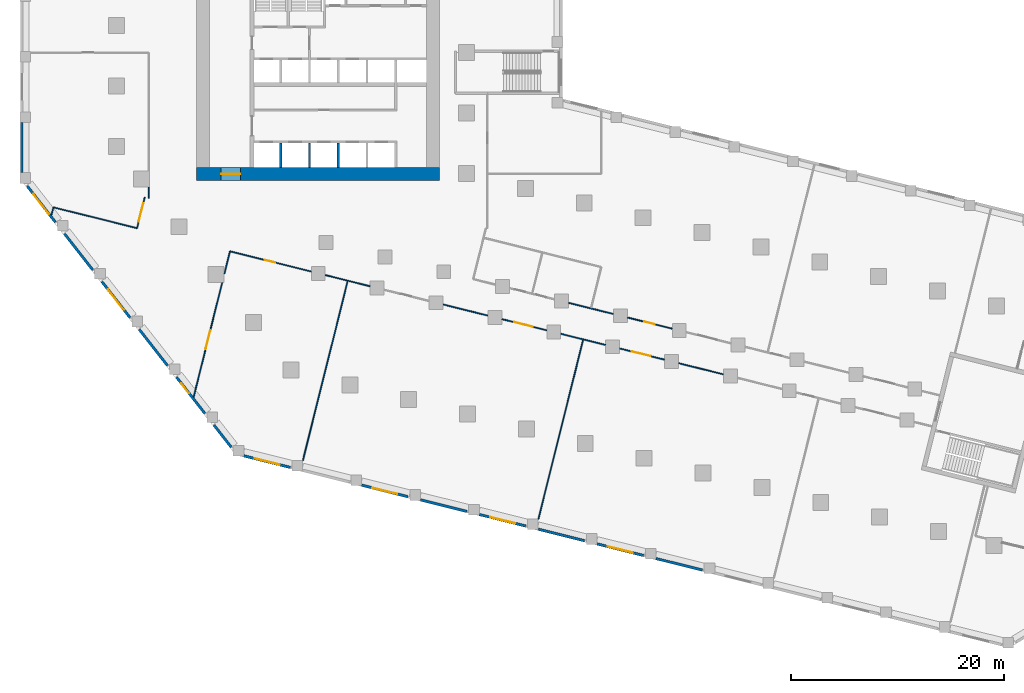
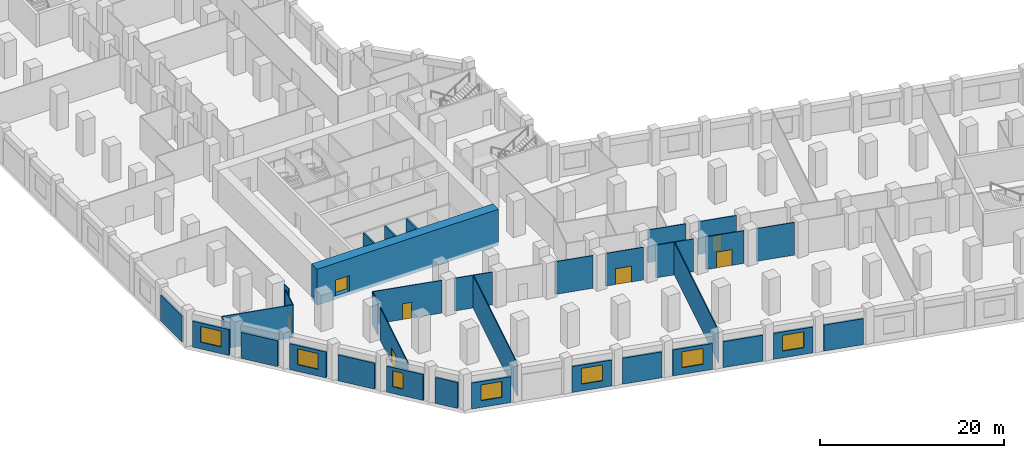
# One storey, part 3 of 15: 35 walls, 7 doors, 7 windows, 14 openings.
"""IFC4 building model written with IfcOpenShell, lengths in metres."""

from ifc_helpers import new_model, si_unit, direction, frame, frame_2d, origin, place, context, subcontext, project, spatial, rectangle, extrude, material, layer, layer_set, type_object, element, fill, save


model = new_model("IFC4")

# Units and contexts
model_context = context("Model", 3, precision=1e-05, world=origin(), true_north=direction((0.0, 1.0)))
body_context = subcontext(model_context, "Body", "Model", "MODEL_VIEW")
ifc_project = project(units=[si_unit("LENGTHUNIT", "METRE"), si_unit("AREAUNIT", "SQUARE_METRE"), si_unit("VOLUMEUNIT", "CUBIC_METRE"), si_unit("PLANEANGLEUNIT", "RADIAN"), si_unit("MASSUNIT", "GRAM", prefix="KILO")], contexts=[model_context])

# Site, building, storey
site_placement = place(None, origin())
site = spatial("IfcSite", under=ifc_project, at=site_placement, CompositionType="ELEMENT")
building_placement = place(site_placement, origin())
building = spatial("IfcBuilding", under=site, at=building_placement, Name="Meshkara Civic Tower", CompositionType="ELEMENT")
storey_placement = place(building_placement, frame((0.0, 0.0, 23.39990234375)))
storey = spatial("IfcBuildingStorey", under=building, at=storey_placement, Name="L04", CompositionType="ELEMENT", Elevation=23.39990234375)

# Wall, opening, door
ifc_material_1 = material(Name="Concrete C80", Category="concrete")
ifc_layer_1 = layer(ifc_material_1, 1.199951171875)
ifc_layer_set_1 = layer_set([ifc_layer_1], Name="Core ring wall 1200 C80")
wall_type_1 = type_object("IfcWallType", Name="Core ring wall 1200 C80", PredefinedType="SHEAR", material=ifc_layer_set_1)
wall_1_placement = place(storey_placement, frame((8.0, 14.699951171875, -0.449951171875), z_axis=(0.0, 0.0, 1.0), x_axis=(1.0, 0.0, 0.0)))
wall_1 = element("IfcWall", 1, at=wall_1_placement, inside=storey, type_object=wall_type_1, Name="L04-C001", PredefinedType="SHEAR", context=body_context, shape_type="SweptSolid", body=[
    extrude(rectangle(XDim=22.800048828125, YDim=1.199951171875, at=frame_2d((11.39990234375, 0.0))), origin(), (0.0, 0.0, 1.0), 4.800048828125),
])
opening_1_placement = place(wall_1_placement, frame((2.300048828125, 0.0, 0.449951171875)))
opening_1 = element("IfcOpeningElement", 2, at=opening_1_placement, cuts=wall_1, Name="Opening L04-K020", PredefinedType="OPENING", context=body_context, shape_type="SweptSolid", body=[
    extrude(rectangle(XDim=1.800048828125, YDim=2.10009765625, at=frame_2d((0.89990234375, 1.050048828125))), frame((0.0, 0.60986328125, 0.0), z_axis=(0.0, -1.0, 0.0), x_axis=(1.0, 0.0, 0.0)), (0.0, 0.0, 1.0), 1.219970703125),
])
ifc_material_2 = material(Name="Fire-rated door leaf in steel frame", Category="steel")
door_type_1 = type_object("IfcDoorType", Name="Core double door 1800 EI 60", OperationType="DOUBLE_DOOR_SINGLE_SWING", PredefinedType="DOOR", material=ifc_material_2)
door_1_placement = place(opening_1_placement, origin())
door_1 = element("IfcDoor", 3, at=door_1_placement, inside=storey, type_object=door_type_1, Name="L04-K020", OperationType="DOUBLE_DOOR_SINGLE_SWING", OverallHeight=2.10009765625, OverallWidth=1.800048828125, PredefinedType="DOOR", context=body_context, shape_type="SweptSolid", body=[
    extrude(rectangle(XDim=1.800048828125, YDim=2.10009765625, at=frame_2d((0.89990234375, 1.050048828125))), frame((0.0, 0.02490234375, 0.0), z_axis=(0.0, -1.0, 0.0), x_axis=(1.0, 0.0, 0.0)), (0.0, 0.0, 1.0), 0.050048828125),
])
fill(opening_1, door_1)

# Walls
ifc_material_3 = material(Name="Corridor wall 100")
ifc_layer_2 = layer(ifc_material_3, 0.10009765625)
ifc_layer_set_2 = layer_set([ifc_layer_2], Name="Corridor wall 100")
wall_type_2 = type_object("IfcWallType", Name="Corridor wall 100", PredefinedType="PARTITIONING", material=ifc_layer_set_2)
wall_2_placement = place(storey_placement, frame((-5.464111328125, 11.56494140625, 0.0), z_axis=(0.0, 0.0, 1.0), x_axis=(-0.24207252228, -0.970258158408, 0.0)))
element("IfcWall", 4, at=wall_2_placement, inside=storey, type_object=wall_type_2, Name="L04-R002", PredefinedType="PARTITIONING", context=body_context, shape_type="SweptSolid", body=[
    extrude(rectangle(XDim=0.744384765625, YDim=0.10009765625, at=frame_2d((0.3720703125, 0.0))), origin(), (0.0, 0.0, 1.0), 4.35009765625),
])
wall_3_placement = place(storey_placement, frame((2.39501953125, 9.60595703125, 0.0), z_axis=(0.0, 0.0, 1.0), x_axis=(-0.97031070843, 0.241861797535, 0.0)))
element("IfcWall", 5, at=wall_3_placement, inside=storey, type_object=wall_type_2, Name="L04-R006", PredefinedType="PARTITIONING", context=body_context, shape_type="SweptSolid", body=[
    extrude(rectangle(XDim=8.099609375, YDim=0.10009765625, at=frame_2d((4.0498046875, 0.0))), origin(), (0.0, 0.0, 1.0), 4.35009765625),
])

# Wall, opening, door
wall_4_placement = place(storey_placement, frame((3.12109375, 12.51708984375, 0.0), z_axis=(0.0, 0.0, 1.0), x_axis=(-0.241999491975, -0.970276376031, 0.0)))
wall_4 = element("IfcWall", 6, at=wall_4_placement, inside=storey, type_object=wall_type_2, Name="L04-R007", PredefinedType="PARTITIONING", context=body_context, shape_type="SweptSolid", body=[
    extrude(rectangle(XDim=3.000244140625, YDim=0.10009765625, at=frame_2d((1.5, 0.0))), origin(), (0.0, 0.0, 1.0), 4.35009765625),
])
opening_2_placement = place(wall_4_placement, frame((0.580078125, 0.0, 0.0)))
opening_2 = element("IfcOpeningElement", 7, at=opening_2_placement, cuts=wall_4, Name="Opening L04-P018", PredefinedType="OPENING", context=body_context, shape_type="SweptSolid", body=[
    extrude(rectangle(XDim=1.800048828125, YDim=2.10009765625, at=frame_2d((0.89990234375, 1.050048828125))), frame((0.0, 0.06005859375, 0.0), z_axis=(0.0, -1.0, 0.0), x_axis=(1.0, 0.0, 0.0)), (0.0, 0.0, 1.0), 0.1201171875),
])
ifc_material_4 = material(Name="Door pair 1800 x 2100")
door_type_2 = type_object("IfcDoorType", Name="Door pair 1800 x 2100", OperationType="SINGLE_SWING_LEFT", PredefinedType="DOOR", material=ifc_material_4)
door_2_placement = place(opening_2_placement, origin())
door_2 = element("IfcDoor", 8, at=door_2_placement, inside=storey, type_object=door_type_2, Name="L04-P018", OperationType="DOUBLE_DOOR_SINGLE_SWING", OverallHeight=2.10009765625, OverallWidth=1.800048828125, PredefinedType="DOOR", context=body_context, shape_type="SweptSolid", body=[
    extrude(rectangle(XDim=1.800048828125, YDim=2.10009765625, at=frame_2d((0.89990234375, 1.050048828125))), frame((0.0, 0.02490234375, 0.0), z_axis=(0.0, -1.0, 0.0), x_axis=(1.0, 0.0, 0.0)), (0.0, 0.0, 1.0), 0.050048828125),
])
fill(opening_2, door_2)

# Wall
wall_5_placement = place(storey_placement, frame((3.5, 13.458984375, 0.0), z_axis=(0.0, 0.0, 1.0), x_axis=(0.0, -1.0, 0.0)))
element("IfcWall", 9, at=wall_5_placement, inside=storey, type_object=wall_type_2, Name="L04-R008", PredefinedType="PARTITIONING", context=body_context, shape_type="SweptSolid", body=[
    extrude(rectangle(XDim=1.035888671875, YDim=0.10009765625, at=frame_2d((0.51806640625, 0.0))), origin(), (0.0, 0.0, 1.0), 4.35009765625),
])

# Wall, opening, door
wall_6_placement = place(storey_placement, frame((7.715576171875, -6.25732421875, 0.0), z_axis=(0.0, 0.0, 1.0), x_axis=(0.241891576484, 0.970303285177, 0.0)))
wall_6 = element("IfcWall", 10, at=wall_6_placement, inside=storey, type_object=wall_type_2, Name="L04-R014", PredefinedType="PARTITIONING", context=body_context, shape_type="SweptSolid", body=[
    extrude(rectangle(XDim=11.060791015625, YDim=0.10009765625, at=frame_2d((5.5302734375, 0.0))), origin(), (0.0, 0.0, 1.0), 4.35009765625),
])
opening_3_placement = place(wall_6_placement, frame((4.644287109375, 0.0, 0.0)))
opening_3 = element("IfcOpeningElement", 11, at=opening_3_placement, cuts=wall_6, Name="Opening L04-P006", PredefinedType="OPENING", context=body_context, shape_type="SweptSolid", body=[
    extrude(rectangle(XDim=1.800048828125, YDim=2.10009765625, at=frame_2d((0.89990234375, 1.050048828125))), frame((0.0, 0.06005859375, 0.0), z_axis=(0.0, -1.0, 0.0), x_axis=(1.0, 0.0, 0.0)), (0.0, 0.0, 1.0), 0.1201171875),
])
door_3_placement = place(opening_3_placement, origin())
door_3 = element("IfcDoor", 12, at=door_3_placement, inside=storey, type_object=door_type_2, Name="L04-P006", OperationType="DOUBLE_DOOR_SINGLE_SWING", OverallHeight=2.10009765625, OverallWidth=1.800048828125, PredefinedType="DOOR", context=body_context, shape_type="SweptSolid", body=[
    extrude(rectangle(XDim=1.800048828125, YDim=2.10009765625, at=frame_2d((0.89990234375, 1.050048828125))), frame((0.0, 0.02490234375, 0.0), z_axis=(0.0, -1.0, 0.0), x_axis=(1.0, 0.0, 0.0)), (0.0, 0.0, 1.0), 0.050048828125),
])
fill(opening_3, door_3)

# Wall
wall_7_placement = place(storey_placement, frame((10.60302734375, 5.322998046875, 0.0), z_axis=(0.0, 0.0, 1.0), x_axis=(0.241847407238, 0.970314295273, 0.0)))
element("IfcWall", 13, at=wall_7_placement, inside=storey, type_object=wall_type_2, Name="L04-R021", PredefinedType="PARTITIONING", context=body_context, shape_type="SweptSolid", body=[
    extrude(rectangle(XDim=2.17041015625, YDim=0.10009765625, at=frame_2d((1.085205078125, 0.0))), origin(), (0.0, 0.0, 1.0), 4.35009765625),
])

# Wall, opening, door
wall_8_placement = place(storey_placement, frame((11.1279296875, 7.428955078125, 0.0), z_axis=(0.0, 0.0, 1.0), x_axis=(0.970281210621, -0.241980107272, 0.0)))
wall_8 = element("IfcWall", 14, at=wall_8_placement, inside=storey, type_object=wall_type_2, Name="L04-R024", PredefinedType="PARTITIONING", context=body_context, shape_type="SweptSolid", body=[
    extrude(rectangle(XDim=7.859619140625, YDim=0.10009765625, at=frame_2d((3.9296875, 0.0))), origin(), (0.0, 0.0, 1.0), 4.35009765625),
])
opening_4_placement = place(wall_8_placement, frame((3.3798828125, 0.0, 0.0)))
opening_4 = element("IfcOpeningElement", 15, at=opening_4_placement, cuts=wall_8, Name="Opening L04-P019", PredefinedType="OPENING", context=body_context, shape_type="SweptSolid", body=[
    extrude(rectangle(XDim=1.0, YDim=2.10009765625, at=frame_2d((0.5, 1.050048828125))), frame((0.0, 0.06005859375, 0.0), z_axis=(0.0, -1.0, 0.0), x_axis=(1.0, 0.0, 0.0)), (0.0, 0.0, 1.0), 0.1201171875),
])
ifc_material_5 = material(Name="Door 1000 x 2100")
door_type_3 = type_object("IfcDoorType", Name="Door 1000 x 2100", OperationType="SINGLE_SWING_LEFT", PredefinedType="DOOR", material=ifc_material_5)
door_4_placement = place(opening_4_placement, origin())
door_4 = element("IfcDoor", 16, at=door_4_placement, inside=storey, type_object=door_type_3, Name="L04-P019", OperationType="SINGLE_SWING_LEFT", OverallHeight=2.10009765625, OverallWidth=1.0, PredefinedType="DOOR", context=body_context, shape_type="SweptSolid", body=[
    extrude(rectangle(XDim=1.0, YDim=2.10009765625, at=frame_2d((0.5, 1.050048828125))), frame((0.0, 0.02490234375, 0.0), z_axis=(0.0, -1.0, 0.0), x_axis=(1.0, 0.0, 0.0)), (0.0, 0.0, 1.0), 0.050048828125),
])
fill(opening_4, door_4)

# Walls
wall_9_placement = place(storey_placement, frame((20.093994140625, 5.193115234375, 0.0), z_axis=(0.0, 0.0, 1.0), x_axis=(0.970321828551, -0.241817181023, 0.0)))
element("IfcWall", 17, at=wall_9_placement, inside=storey, type_object=wall_type_2, Name="L04-R035", PredefinedType="PARTITIONING", context=body_context, shape_type="SweptSolid", body=[
    extrude(rectangle(XDim=4.318115234375, YDim=0.10009765625, at=frame_2d((2.1591796875, 0.0))), origin(), (0.0, 0.0, 1.0), 4.35009765625),
])
wall_10_placement = place(storey_placement, frame((31.155029296875, 2.43505859375, 0.0), z_axis=(0.0, 0.0, 1.0), x_axis=(0.970348308202, -0.24171090329, 0.0)))
element("IfcWall", 18, at=wall_10_placement, inside=storey, type_object=wall_type_2, Name="L04-R045", PredefinedType="PARTITIONING", context=body_context, shape_type="SweptSolid", body=[
    extrude(rectangle(XDim=4.319091796875, YDim=0.10009765625, at=frame_2d((2.15966796875, 0.0))), origin(), (0.0, 0.0, 1.0), 4.35009765625),
])

# Wall, opening, door
wall_11_placement = place(storey_placement, frame((36.68603515625, 1.055908203125, 0.0), z_axis=(0.0, 0.0, 1.0), x_axis=(0.970335093604, -0.241763947107, 0.0)))
wall_11 = element("IfcWall", 19, at=wall_11_placement, inside=storey, type_object=wall_type_2, Name="L04-R055", PredefinedType="PARTITIONING", context=body_context, shape_type="SweptSolid", body=[
    extrude(rectangle(XDim=4.318115234375, YDim=0.10009765625, at=frame_2d((2.1591796875, 0.0))), origin(), (0.0, 0.0, 1.0), 4.35009765625),
])
opening_5_placement = place(wall_11_placement, frame((1.179931640625, 0.0, 0.0)))
opening_5 = element("IfcOpeningElement", 20, at=opening_5_placement, cuts=wall_11, Name="Opening L04-P015", PredefinedType="OPENING", context=body_context, shape_type="SweptSolid", body=[
    extrude(rectangle(XDim=1.800048828125, YDim=2.10009765625, at=frame_2d((0.89990234375, 1.050048828125))), frame((0.0, 0.06005859375, 0.0), z_axis=(0.0, -1.0, 0.0), x_axis=(1.0, 0.0, 0.0)), (0.0, 0.0, 1.0), 0.1201171875),
])
door_5_placement = place(opening_5_placement, origin())
door_5 = element("IfcDoor", 21, at=door_5_placement, inside=storey, type_object=door_type_2, Name="L04-P015", OperationType="DOUBLE_DOOR_SINGLE_SWING", OverallHeight=2.10009765625, OverallWidth=1.800048828125, PredefinedType="DOOR", context=body_context, shape_type="SweptSolid", body=[
    extrude(rectangle(XDim=1.800048828125, YDim=2.10009765625, at=frame_2d((0.89990234375, 1.050048828125))), frame((0.0, 0.02490234375, 0.0), z_axis=(0.0, -1.0, 0.0), x_axis=(1.0, 0.0, 0.0)), (0.0, 0.0, 1.0), 0.050048828125),
])
fill(opening_5, door_5)

# Walls
wall_12_placement = place(storey_placement, frame((42.216064453125, -0.322021484375, 0.0), z_axis=(0.0, 0.0, 1.0), x_axis=(0.970295255208, -0.241923784941, 0.0)))
element("IfcWall", 22, at=wall_12_placement, inside=storey, type_object=wall_type_2, Name="L04-R058", PredefinedType="PARTITIONING", context=body_context, shape_type="SweptSolid", body=[
    extrude(rectangle(XDim=4.3193359375, YDim=0.10009765625, at=frame_2d((2.15966796875, 0.0))), origin(), (0.0, 0.0, 1.0), 4.35009765625),
])
wall_13_placement = place(storey_placement, frame((42.94189453125, 2.589111328125, 0.0), z_axis=(0.0, 0.0, 1.0), x_axis=(0.970285294909, -0.241963729685, 0.0)))
element("IfcWall", 23, at=wall_13_placement, inside=storey, type_object=wall_type_2, Name="L04-R059", PredefinedType="PARTITIONING", context=body_context, shape_type="SweptSolid", body=[
    extrude(rectangle(XDim=4.319580078125, YDim=0.10009765625, at=frame_2d((2.15966796875, 0.0))), origin(), (0.0, 0.0, 1.0), 4.35009765625),
])

# Wall, opening, door
wall_14_placement = place(storey_placement, frame((47.7470703125, -1.700927734375, 0.0), z_axis=(0.0, 0.0, 1.0), x_axis=(0.97028198557, -0.241976999897, 0.0)))
wall_14 = element("IfcWall", 24, at=wall_14_placement, inside=storey, type_object=wall_type_2, Name="L04-R060", PredefinedType="PARTITIONING", context=body_context, shape_type="SweptSolid", body=[
    extrude(rectangle(XDim=4.3193359375, YDim=0.10009765625, at=frame_2d((2.15966796875, 0.0))), origin(), (0.0, 0.0, 1.0), 4.35009765625),
])
opening_6_placement = place(wall_14_placement, frame((1.179931640625, 0.0, 0.0)))
opening_6 = element("IfcOpeningElement", 25, at=opening_6_placement, cuts=wall_14, Name="Opening L04-P007", PredefinedType="OPENING", context=body_context, shape_type="SweptSolid", body=[
    extrude(rectangle(XDim=1.800048828125, YDim=2.10009765625, at=frame_2d((0.89990234375, 1.050048828125))), frame((0.0, 0.06005859375, 0.0), z_axis=(0.0, -1.0, 0.0), x_axis=(1.0, 0.0, 0.0)), (0.0, 0.0, 1.0), 0.1201171875),
])
door_6_placement = place(opening_6_placement, origin())
door_6 = element("IfcDoor", 26, at=door_6_placement, inside=storey, type_object=door_type_2, Name="L04-P007", OperationType="DOUBLE_DOOR_SINGLE_SWING", OverallHeight=2.10009765625, OverallWidth=1.800048828125, PredefinedType="DOOR", context=body_context, shape_type="SweptSolid", body=[
    extrude(rectangle(XDim=1.800048828125, YDim=2.10009765625, at=frame_2d((0.89990234375, 1.050048828125))), frame((0.0, 0.02490234375, 0.0), z_axis=(0.0, -1.0, 0.0), x_axis=(1.0, 0.0, 0.0)), (0.0, 0.0, 1.0), 0.050048828125),
])
fill(opening_6, door_6)

wall_15_placement = place(storey_placement, frame((52.6640625, 0.1650390625, 0.0), z_axis=(0.0, 0.0, 1.0), x_axis=(-0.970298563138, 0.241910517285, 0.0)))
wall_15 = element("IfcWall", 27, at=wall_15_placement, inside=storey, type_object=wall_type_2, Name="L04-R061", PredefinedType="PARTITIONING", context=body_context, shape_type="SweptSolid", body=[
    extrude(rectangle(XDim=4.3193359375, YDim=0.10009765625, at=frame_2d((2.15966796875, 0.0))), origin(), (0.0, 0.0, 1.0), 4.35009765625),
])
opening_7_placement = place(wall_15_placement, frame((1.679931640625, 0.0, 0.0)))
opening_7 = element("IfcOpeningElement", 28, at=opening_7_placement, cuts=wall_15, Name="Opening L04-P017", PredefinedType="OPENING", context=body_context, shape_type="SweptSolid", body=[
    extrude(rectangle(XDim=1.0, YDim=2.10009765625, at=frame_2d((0.5, 1.050048828125))), frame((0.0, 0.06005859375, 0.0), z_axis=(0.0, -1.0, 0.0), x_axis=(1.0, 0.0, 0.0)), (0.0, 0.0, 1.0), 0.1201171875),
])
door_7_placement = place(opening_7_placement, origin())
door_7 = element("IfcDoor", 29, at=door_7_placement, inside=storey, type_object=door_type_3, Name="L04-P017", OperationType="SINGLE_SWING_LEFT", OverallHeight=2.10009765625, OverallWidth=1.0, PredefinedType="DOOR", context=body_context, shape_type="SweptSolid", body=[
    extrude(rectangle(XDim=1.0, YDim=2.10009765625, at=frame_2d((0.5, 1.050048828125))), frame((0.0, 0.02490234375, 0.0), z_axis=(0.0, -1.0, 0.0), x_axis=(1.0, 0.0, 0.0)), (0.0, 0.0, 1.0), 0.050048828125),
])
fill(opening_7, door_7)

# Walls
wall_16_placement = place(storey_placement, frame((53.278076171875, -3.0810546875, 0.0), z_axis=(0.0, 0.0, 1.0), x_axis=(0.970348308202, -0.24171090329, 0.0)))
element("IfcWall", 30, at=wall_16_placement, inside=storey, type_object=wall_type_2, Name="L04-R062", PredefinedType="PARTITIONING", context=body_context, shape_type="SweptSolid", body=[
    extrude(rectangle(XDim=4.319091796875, YDim=0.10009765625, at=frame_2d((2.15966796875, 0.0))), origin(), (0.0, 0.0, 1.0), 4.35009765625),
])
ifc_material_6 = material(Name="Stone cladding on insulated backing wall", Category="masonry")
ifc_layer_3 = layer(ifc_material_6, 0.25)
ifc_layer_set_3 = layer_set([ifc_layer_3], Name="PODIUM STONE WALL 250")
wall_type_3 = type_object("IfcWallType", Name="PODIUM STONE WALL 250", PredefinedType="SOLIDWALL", material=ifc_layer_set_3)
wall_17_placement = place(storey_placement, frame((-8.425048828125, 19.510986328125, 0.0), z_axis=(0.0, 0.0, 1.0), x_axis=(0.0, -1.0, 0.0)))
element("IfcWall", 31, at=wall_17_placement, inside=storey, type_object=wall_type_3, Name="Podium external wall", PredefinedType="SOLIDWALL", context=body_context, shape_type="SweptSolid", body=[
    extrude(rectangle(XDim=4.699951171875, YDim=0.25, at=frame_2d((2.35009765625, 0.0))), origin(), (0.0, 0.0, 1.0), 3.4501953125),
])

# Wall, opening, window
wall_18_placement = place(storey_placement, frame((-7.924072265625, 13.55810546875, 0.0), z_axis=(0.0, 0.0, 1.0), x_axis=(0.615603242749, -0.788056246417, 0.0)))
wall_18 = element("IfcWall", 32, at=wall_18_placement, inside=storey, type_object=wall_type_3, Name="Podium external wall", PredefinedType="SOLIDWALL", context=body_context, shape_type="SweptSolid", body=[
    extrude(rectangle(XDim=4.296630859375, YDim=0.25, at=frame_2d((2.1484375, 0.0))), origin(), (0.0, 0.0, 1.0), 3.4501953125),
])
opening_8_placement = place(wall_18_placement, frame((0.947998046875, 0.0, 0.89990234375)))
opening_8 = element("IfcOpeningElement", 33, at=opening_8_placement, cuts=wall_18, Name="Opening PW10", PredefinedType="OPENING", context=body_context, shape_type="SweptSolid", body=[
    extrude(rectangle(XDim=2.39990234375, YDim=2.10009765625, at=frame_2d((1.199951171875, 1.050048828125))), frame((0.0, 0.135009765625, 0.0), z_axis=(0.0, -1.0, 0.0), x_axis=(1.0, 0.0, 0.0)), (0.0, 0.0, 1.0), 0.27001953125),
])
ifc_material_7 = material(Name="Tinted double glazing", Category="glass")
window_type_1 = type_object("IfcWindowType", Name="PODIUM WINDOW 2400x2100", PartitioningType="DOUBLE_PANEL_VERTICAL", PredefinedType="WINDOW", material=ifc_material_7)
window_1_placement = place(opening_8_placement, origin())
window_1 = element("IfcWindow", 34, at=window_1_placement, inside=storey, type_object=window_type_1, Name="Podium window", OverallHeight=2.10009765625, OverallWidth=2.39990234375, PartitioningType="DOUBLE_PANEL_VERTICAL", PredefinedType="WINDOW", context=body_context, shape_type="SweptSolid", body=[
    extrude(rectangle(XDim=2.39990234375, YDim=2.10009765625, at=frame_2d((1.199951171875, 1.050048828125))), frame((0.0, 0.030029296875, 0.0), z_axis=(0.0, -1.0, 0.0), x_axis=(1.0, 0.0, 0.0)), (0.0, 0.0, 1.0), 0.06005859375),
])
fill(opening_8, window_1)

# Wall
wall_19_placement = place(storey_placement, frame((-4.4150390625, 9.06591796875, 0.0), z_axis=(0.0, 0.0, 1.0), x_axis=(0.615713519567, -0.787970089421, 0.0)))
element("IfcWall", 35, at=wall_19_placement, inside=storey, type_object=wall_type_3, Name="Podium external wall", PredefinedType="SOLIDWALL", context=body_context, shape_type="SweptSolid", body=[
    extrude(rectangle(XDim=4.2958984375, YDim=0.25, at=frame_2d((2.14794921875, 0.0))), origin(), (0.0, 0.0, 1.0), 3.4501953125),
])

# Wall, opening, window
wall_20_placement = place(storey_placement, frame((-0.906005859375, 4.574951171875, 0.0), z_axis=(0.0, 0.0, 1.0), x_axis=(0.61574436495, -0.787945986113, 0.0)))
wall_20 = element("IfcWall", 36, at=wall_20_placement, inside=storey, type_object=wall_type_3, Name="Podium external wall", PredefinedType="SOLIDWALL", context=body_context, shape_type="SweptSolid", body=[
    extrude(rectangle(XDim=4.297119140625, YDim=0.25, at=frame_2d((2.1484375, 0.0))), origin(), (0.0, 0.0, 1.0), 3.4501953125),
])
opening_9_placement = place(wall_20_placement, frame((0.948974609375, 0.0, 0.89990234375)))
opening_9 = element("IfcOpeningElement", 37, at=opening_9_placement, cuts=wall_20, Name="Opening PW10", PredefinedType="OPENING", context=body_context, shape_type="SweptSolid", body=[
    extrude(rectangle(XDim=2.39990234375, YDim=2.10009765625, at=frame_2d((1.199951171875, 1.050048828125))), frame((0.0, 0.135009765625, 0.0), z_axis=(0.0, -1.0, 0.0), x_axis=(1.0, 0.0, 0.0)), (0.0, 0.0, 1.0), 0.27001953125),
])
window_2_placement = place(opening_9_placement, origin())
window_2 = element("IfcWindow", 38, at=window_2_placement, inside=storey, type_object=window_type_1, Name="Podium window", OverallHeight=2.10009765625, OverallWidth=2.39990234375, PartitioningType="DOUBLE_PANEL_VERTICAL", PredefinedType="WINDOW", context=body_context, shape_type="SweptSolid", body=[
    extrude(rectangle(XDim=2.39990234375, YDim=2.10009765625, at=frame_2d((1.199951171875, 1.050048828125))), frame((0.0, 0.030029296875, 0.0), z_axis=(0.0, -1.0, 0.0), x_axis=(1.0, 0.0, 0.0)), (0.0, 0.0, 1.0), 0.06005859375),
])
fill(opening_9, window_2)

# Wall
wall_21_placement = place(storey_placement, frame((2.60400390625, 0.0830078125, 0.0), z_axis=(0.0, 0.0, 1.0), x_axis=(0.615603242749, -0.788056246417, 0.0)))
element("IfcWall", 39, at=wall_21_placement, inside=storey, type_object=wall_type_3, Name="Podium external wall", PredefinedType="SOLIDWALL", context=body_context, shape_type="SweptSolid", body=[
    extrude(rectangle(XDim=4.296630859375, YDim=0.25, at=frame_2d((2.1484375, 0.0))), origin(), (0.0, 0.0, 1.0), 3.4501953125),
])

# Wall, opening, window
wall_22_placement = place(storey_placement, frame((6.113037109375, -4.408935546875, 0.0), z_axis=(0.0, 0.0, 1.0), x_axis=(0.615603242749, -0.788056246417, 0.0)))
wall_22 = element("IfcWall", 40, at=wall_22_placement, inside=storey, type_object=wall_type_3, Name="Podium external wall", PredefinedType="SOLIDWALL", context=body_context, shape_type="SweptSolid", body=[
    extrude(rectangle(XDim=4.296630859375, YDim=0.25, at=frame_2d((2.1484375, 0.0))), origin(), (0.0, 0.0, 1.0), 3.4501953125),
])
opening_10_placement = place(wall_22_placement, frame((0.701904296875, 0.0, 0.89990234375)))
opening_10 = element("IfcOpeningElement", 41, at=opening_10_placement, cuts=wall_22, Name="Opening PW12", PredefinedType="OPENING", context=body_context, shape_type="SweptSolid", body=[
    extrude(rectangle(XDim=1.199951171875, YDim=2.10009765625, at=frame_2d((0.60009765625, 1.050048828125))), frame((0.0, 0.135009765625, 0.0), z_axis=(0.0, -1.0, 0.0), x_axis=(1.0, 0.0, 0.0)), (0.0, 0.0, 1.0), 0.27001953125),
])
ifc_material_8 = material(Name="Tinted double glazing", Category="glass")
window_type_2 = type_object("IfcWindowType", Name="PODIUM WINDOW 1200x2100", PartitioningType="SINGLE_PANEL", PredefinedType="WINDOW", material=ifc_material_8)
window_3_placement = place(opening_10_placement, origin())
window_3 = element("IfcWindow", 42, at=window_3_placement, inside=storey, type_object=window_type_2, Name="Podium window", OverallHeight=2.10009765625, OverallWidth=1.199951171875, PartitioningType="SINGLE_PANEL", PredefinedType="WINDOW", context=body_context, shape_type="SweptSolid", body=[
    extrude(rectangle(XDim=1.199951171875, YDim=2.10009765625, at=frame_2d((0.60009765625, 1.050048828125))), frame((0.0, 0.030029296875, 0.0), z_axis=(0.0, -1.0, 0.0), x_axis=(1.0, 0.0, 0.0)), (0.0, 0.0, 1.0), 0.06005859375),
])
fill(opening_10, window_3)

# Wall
wall_23_placement = place(storey_placement, frame((9.6220703125, -8.90087890625, 0.0), z_axis=(0.0, 0.0, 1.0), x_axis=(0.615703609525, -0.787977832948, 0.0)))
element("IfcWall", 43, at=wall_23_placement, inside=storey, type_object=wall_type_3, Name="Podium external wall", PredefinedType="SOLIDWALL", context=body_context, shape_type="SweptSolid", body=[
    extrude(rectangle(XDim=2.62451171875, YDim=0.25, at=frame_2d((1.312255859375, 0.0))), origin(), (0.0, 0.0, 1.0), 3.4501953125),
])

# Wall, opening, window
wall_24_placement = place(storey_placement, frame((12.43603515625, -11.783935546875, 0.0), z_axis=(0.0, 0.0, 1.0), x_axis=(0.970263990019, -0.242049147224, 0.0)))
wall_24 = element("IfcWall", 44, at=wall_24_placement, inside=storey, type_object=wall_type_3, Name="Podium external wall", PredefinedType="SOLIDWALL", context=body_context, shape_type="SweptSolid", body=[
    extrude(rectangle(XDim=4.487548828125, YDim=0.25, at=frame_2d((2.24365234375, 0.0))), origin(), (0.0, 0.0, 1.0), 3.4501953125),
])
opening_11_placement = place(wall_24_placement, frame((1.0439453125, 0.0, 0.89990234375)))
opening_11 = element("IfcOpeningElement", 45, at=opening_11_placement, cuts=wall_24, Name="Opening PW10", PredefinedType="OPENING", context=body_context, shape_type="SweptSolid", body=[
    extrude(rectangle(XDim=2.39990234375, YDim=2.10009765625, at=frame_2d((1.199951171875, 1.050048828125))), frame((0.0, 0.135009765625, 0.0), z_axis=(0.0, -1.0, 0.0), x_axis=(1.0, 0.0, 0.0)), (0.0, 0.0, 1.0), 0.27001953125),
])
window_4_placement = place(opening_11_placement, origin())
window_4 = element("IfcWindow", 46, at=window_4_placement, inside=storey, type_object=window_type_1, Name="Podium window", OverallHeight=2.10009765625, OverallWidth=2.39990234375, PartitioningType="DOUBLE_PANEL_VERTICAL", PredefinedType="WINDOW", context=body_context, shape_type="SweptSolid", body=[
    extrude(rectangle(XDim=2.39990234375, YDim=2.10009765625, at=frame_2d((1.199951171875, 1.050048828125))), frame((0.0, 0.030029296875, 0.0), z_axis=(0.0, -1.0, 0.0), x_axis=(1.0, 0.0, 0.0)), (0.0, 0.0, 1.0), 0.06005859375),
])
fill(opening_11, window_4)

wall_25_placement = place(storey_placement, frame((23.4970703125, -14.5419921875, 0.0), z_axis=(0.0, 0.0, 1.0), x_axis=(0.970327846266, -0.241793032904, 0.0)))
wall_25 = element("IfcWall", 47, at=wall_25_placement, inside=storey, type_object=wall_type_3, Name="Podium external wall", PredefinedType="SOLIDWALL", context=body_context, shape_type="SweptSolid", body=[
    extrude(rectangle(XDim=4.487060546875, YDim=0.25, at=frame_2d((2.24365234375, 0.0))), origin(), (0.0, 0.0, 1.0), 3.4501953125),
])
opening_12_placement = place(wall_25_placement, frame((1.0439453125, 0.0, 0.89990234375)))
opening_12 = element("IfcOpeningElement", 48, at=opening_12_placement, cuts=wall_25, Name="Opening PW10", PredefinedType="OPENING", context=body_context, shape_type="SweptSolid", body=[
    extrude(rectangle(XDim=2.39990234375, YDim=2.10009765625, at=frame_2d((1.199951171875, 1.050048828125))), frame((0.0, 0.135009765625, 0.0), z_axis=(0.0, -1.0, 0.0), x_axis=(1.0, 0.0, 0.0)), (0.0, 0.0, 1.0), 0.27001953125),
])
window_5_placement = place(opening_12_placement, origin())
window_5 = element("IfcWindow", 49, at=window_5_placement, inside=storey, type_object=window_type_1, Name="Podium window", OverallHeight=2.10009765625, OverallWidth=2.39990234375, PartitioningType="DOUBLE_PANEL_VERTICAL", PredefinedType="WINDOW", context=body_context, shape_type="SweptSolid", body=[
    extrude(rectangle(XDim=2.39990234375, YDim=2.10009765625, at=frame_2d((1.199951171875, 1.050048828125))), frame((0.0, 0.030029296875, 0.0), z_axis=(0.0, -1.0, 0.0), x_axis=(1.0, 0.0, 0.0)), (0.0, 0.0, 1.0), 0.06005859375),
])
fill(opening_12, window_5)

# Wall
wall_26_placement = place(storey_placement, frame((29.028076171875, -15.9208984375, 0.0), z_axis=(0.0, 0.0, 1.0), x_axis=(0.970315079753, -0.241844259813, 0.0)))
element("IfcWall", 50, at=wall_26_placement, inside=storey, type_object=wall_type_3, Name="Podium external wall", PredefinedType="SOLIDWALL", context=body_context, shape_type="SweptSolid", body=[
    extrude(rectangle(XDim=4.4873046875, YDim=0.25, at=frame_2d((2.24365234375, 0.0))), origin(), (0.0, 0.0, 1.0), 3.4501953125),
])

# Wall, opening, window
wall_27_placement = place(storey_placement, frame((34.55908203125, -17.300048828125, 0.0), z_axis=(0.0, 0.0, 1.0), x_axis=(0.970327846266, -0.241793032904, 0.0)))
wall_27 = element("IfcWall", 51, at=wall_27_placement, inside=storey, type_object=wall_type_3, Name="Podium external wall", PredefinedType="SOLIDWALL", context=body_context, shape_type="SweptSolid", body=[
    extrude(rectangle(XDim=4.487060546875, YDim=0.25, at=frame_2d((2.24365234375, 0.0))), origin(), (0.0, 0.0, 1.0), 3.4501953125),
])
opening_13_placement = place(wall_27_placement, frame((1.0439453125, 0.0, 0.89990234375)))
opening_13 = element("IfcOpeningElement", 52, at=opening_13_placement, cuts=wall_27, Name="Opening PW10", PredefinedType="OPENING", context=body_context, shape_type="SweptSolid", body=[
    extrude(rectangle(XDim=2.39990234375, YDim=2.10009765625, at=frame_2d((1.199951171875, 1.050048828125))), frame((0.0, 0.135009765625, 0.0), z_axis=(0.0, -1.0, 0.0), x_axis=(1.0, 0.0, 0.0)), (0.0, 0.0, 1.0), 0.27001953125),
])
window_6_placement = place(opening_13_placement, origin())
window_6 = element("IfcWindow", 53, at=window_6_placement, inside=storey, type_object=window_type_1, Name="Podium window", OverallHeight=2.10009765625, OverallWidth=2.39990234375, PartitioningType="DOUBLE_PANEL_VERTICAL", PredefinedType="WINDOW", context=body_context, shape_type="SweptSolid", body=[
    extrude(rectangle(XDim=2.39990234375, YDim=2.10009765625, at=frame_2d((1.199951171875, 1.050048828125))), frame((0.0, 0.030029296875, 0.0), z_axis=(0.0, -1.0, 0.0), x_axis=(1.0, 0.0, 0.0)), (0.0, 0.0, 1.0), 0.06005859375),
])
fill(opening_13, window_6)

# Wall
wall_28_placement = place(storey_placement, frame((40.089111328125, -18.677978515625, 0.0), z_axis=(0.0, 0.0, 1.0), x_axis=(0.970276766004, -0.241997928406, 0.0)))
element("IfcWall", 54, at=wall_28_placement, inside=storey, type_object=wall_type_3, Name="Podium external wall", PredefinedType="SOLIDWALL", context=body_context, shape_type="SweptSolid", body=[
    extrude(rectangle(XDim=4.4873046875, YDim=0.25, at=frame_2d((2.24365234375, 0.0))), origin(), (0.0, 0.0, 1.0), 3.4501953125),
])

# Wall, opening, window
wall_29_placement = place(storey_placement, frame((45.618896484375, -20.056884765625, 0.0), z_axis=(0.0, 0.0, 1.0), x_axis=(0.970279921141, -0.241985277715, 0.0)))
wall_29 = element("IfcWall", 55, at=wall_29_placement, inside=storey, type_object=wall_type_3, Name="Podium external wall", PredefinedType="SOLIDWALL", context=body_context, shape_type="SweptSolid", body=[
    extrude(rectangle(XDim=4.488525390625, YDim=0.25, at=frame_2d((2.244140625, 0.0))), origin(), (0.0, 0.0, 1.0), 3.4501953125),
])
opening_14_placement = place(wall_29_placement, frame((1.0439453125, 0.0, 0.89990234375)))
opening_14 = element("IfcOpeningElement", 56, at=opening_14_placement, cuts=wall_29, Name="Opening PW10", PredefinedType="OPENING", context=body_context, shape_type="SweptSolid", body=[
    extrude(rectangle(XDim=2.39990234375, YDim=2.10009765625, at=frame_2d((1.199951171875, 1.050048828125))), frame((0.0, 0.135009765625, 0.0), z_axis=(0.0, -1.0, 0.0), x_axis=(1.0, 0.0, 0.0)), (0.0, 0.0, 1.0), 0.27001953125),
])
window_7_placement = place(opening_14_placement, origin())
window_7 = element("IfcWindow", 57, at=window_7_placement, inside=storey, type_object=window_type_1, Name="Podium window", OverallHeight=2.10009765625, OverallWidth=2.39990234375, PartitioningType="DOUBLE_PANEL_VERTICAL", PredefinedType="WINDOW", context=body_context, shape_type="SweptSolid", body=[
    extrude(rectangle(XDim=2.39990234375, YDim=2.10009765625, at=frame_2d((1.199951171875, 1.050048828125))), frame((0.0, 0.030029296875, 0.0), z_axis=(0.0, -1.0, 0.0), x_axis=(1.0, 0.0, 0.0)), (0.0, 0.0, 1.0), 0.06005859375),
])
fill(opening_14, window_7)

# Walls
wall_30_placement = place(storey_placement, frame((51.14990234375, -21.43603515625, 0.0), z_axis=(0.0, 0.0, 1.0), x_axis=(0.970289506684, -0.241946839653, 0.0)))
element("IfcWall", 58, at=wall_30_placement, inside=storey, type_object=wall_type_3, Name="Podium external wall", PredefinedType="SOLIDWALL", context=body_context, shape_type="SweptSolid", body=[
    extrude(rectangle(XDim=4.48828125, YDim=0.25, at=frame_2d((2.244140625, 0.0))), origin(), (0.0, 0.0, 1.0), 3.4501953125),
])
ifc_material_9 = material(Name="Partition 100")
ifc_layer_4 = layer(ifc_material_9, 0.10009765625)
ifc_layer_set_4 = layer_set([ifc_layer_4], Name="Partition 100")
wall_type_4 = type_object("IfcWallType", Name="Partition 100", PredefinedType="PARTITIONING", material=ifc_layer_set_4)
wall_31_placement = place(storey_placement, frame((17.97705078125, -12.222900390625, 0.0), z_axis=(0.0, 0.0, 1.0), x_axis=(0.241923428609, 0.970295344053, 0.0)))
element("IfcWall", 59, at=wall_31_placement, inside=storey, type_object=wall_type_4, Name="L04-R089", PredefinedType="PARTITIONING", context=body_context, shape_type="SweptSolid", body=[
    extrude(rectangle(XDim=17.360595703125, YDim=0.10009765625, at=frame_2d((8.68017578125, 0.0))), origin(), (0.0, 0.0, 1.0), 4.35009765625),
])
wall_32_placement = place(storey_placement, frame((40.10009765625, -17.738037109375, 0.0), z_axis=(0.0, 0.0, 1.0), x_axis=(0.241936633614, 0.970292051557, 0.0)))
element("IfcWall", 60, at=wall_32_placement, inside=storey, type_object=wall_type_4, Name="L04-R102", PredefinedType="PARTITIONING", context=body_context, shape_type="SweptSolid", body=[
    extrude(rectangle(XDim=17.359619140625, YDim=0.10009765625, at=frame_2d((8.6796875, 0.0))), origin(), (0.0, 0.0, 1.0), 4.35009765625),
])
ifc_material_10 = material(Name="Concrete C40/50", Category="concrete")
ifc_layer_5 = layer(ifc_material_10, 0.199951171875)
ifc_layer_set_5 = layer_set([ifc_layer_5], Name="Shaft wall 200 C40/50")
wall_type_5 = type_object("IfcWallType", Name="Shaft wall 200 C40/50", PredefinedType="SOLIDWALL", material=ifc_layer_set_5)
for number, where, z_axis, x_axis, name in (
    (61, (15.89990234375, 15.300048828125, 0.0), (0.0, 0.0, 1.0), (0.0, 1.0, 0.0), "L04-C012"),
    (62, (18.60009765625, 15.300048828125, 0.0), (0.0, 0.0, 1.0), (0.0, 1.0, 0.0), "L04-C015"),
    (63, (21.300048828125, 15.300048828125, 0.0), (0.0, 0.0, 1.0), (0.0, 1.0, 0.0), "L04-C018"),
):
    element("IfcWall", number, at=place(storey_placement, frame(where, z_axis=z_axis, x_axis=x_axis)), inside=storey, type_object=wall_type_5, Name=name, PredefinedType="SOLIDWALL", context=body_context, shape_type="SweptSolid", body=[
        extrude(rectangle(XDim=2.300048828125, YDim=0.199951171875, at=frame_2d((1.14990234375, 0.0))), origin(), (0.0, 0.0, 1.0), 4.35009765625),
    ])

save(model, "model.ifc")
